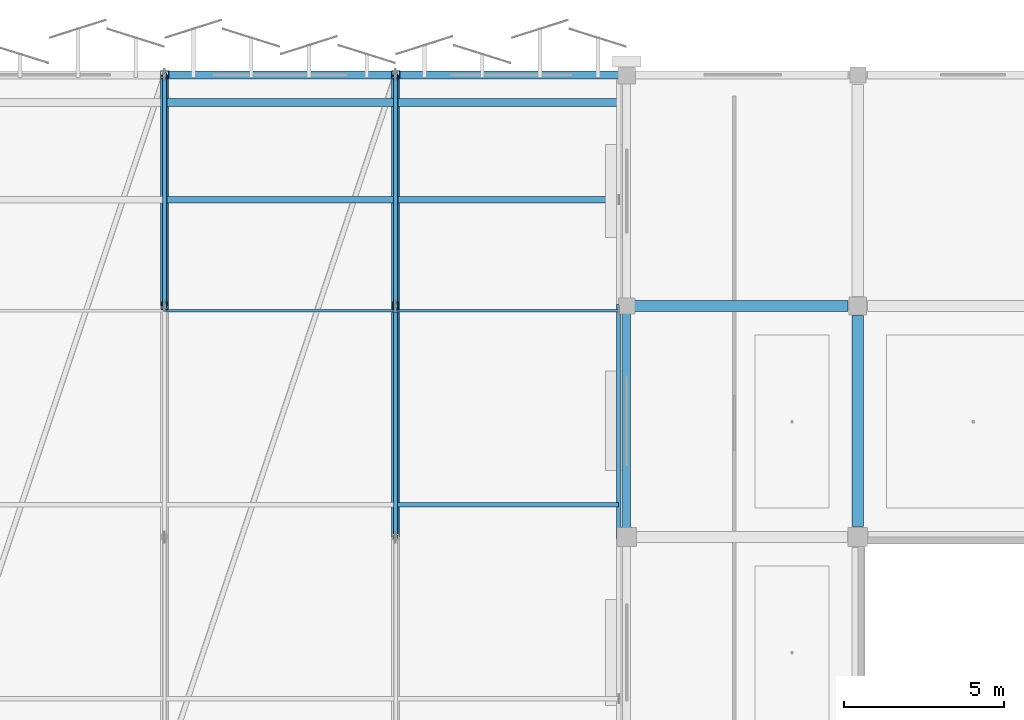
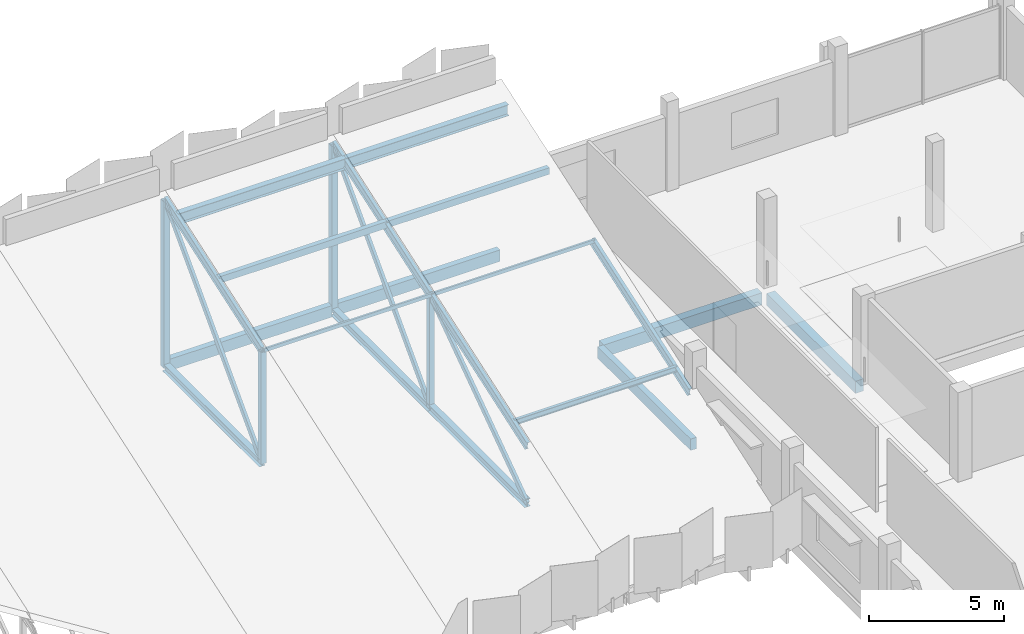
# One storey, part 24 of 59: 21 members, 5 beams.
"""IFC4 building model written with IfcOpenShell, lengths in metres."""

from ifc_helpers import new_model, si_unit, direction, frame, origin, origin_2d, place, context, subcontext, project, spatial, rectangle, hollow_rectangle, i_section, extrude, material, material_profile, profile_set, type_object, element, save


model = new_model("IFC4")

# Units and contexts
model_context = context("Model", 3, precision=1e-05, world=origin(), true_north=direction((0.0, 1.0)))
body_context = subcontext(model_context, "Body", "Model", "MODEL_VIEW")
ifc_project = project(units=[si_unit("LENGTHUNIT", "METRE"), si_unit("AREAUNIT", "SQUARE_METRE"), si_unit("VOLUMEUNIT", "CUBIC_METRE"), si_unit("PLANEANGLEUNIT", "RADIAN"), si_unit("MASSUNIT", "GRAM", prefix="KILO")], contexts=[model_context])

# Site, building, storey
site_placement = place(None, origin())
site = spatial("IfcSite", under=ifc_project, at=site_placement, CompositionType="ELEMENT")
building_placement = place(site_placement, origin())
building = spatial("IfcBuilding", under=site, at=building_placement, Name="Kangsadwip Square Police Headquarters", CompositionType="ELEMENT")
storey_placement = place(building_placement, frame((0.0, 0.0, 21.60009765625)))
storey = spatial("IfcBuildingStorey", under=building, at=storey_placement, Name="L05", CompositionType="ELEMENT", Elevation=21.60009765625)

# Beams
ifc_material_1 = material(Name="Concrete M35 (35 MPa)", Category="concrete")
ifc_material_profile_1 = material_profile(ifc_material_1, rectangle(XDim=0.35009765625, YDim=0.550048828125, at=origin_2d()), Name="RC BM 550X350")
ifc_profile_set_1 = profile_set([ifc_material_profile_1], Name="Concrete M35 (35 MPa)")
beam_type_1 = type_object("IfcBeamType", Name="RcBeam550x350", PredefinedType="BEAM", material=ifc_profile_set_1)
beam_1_placement = place(storey_placement, frame((144.125, 108.0, -0.4951171875), z_axis=(1.0, 0.0, 0.0), x_axis=(0.0, 1.0, 0.0)))
element("IfcBeam", 1, at=beam_1_placement, inside=storey, type_object=beam_type_1, Name="Beam BM-L05-X-20-15", PredefinedType="BEAM", context=body_context, shape_type="SweptSolid", body=[
    extrude(rectangle(XDim=0.35009765625, YDim=0.550048828125, at=origin_2d()), origin(), (0.0, 0.0, 1.0), 6.77490234375),
])
beam_2_placement = place(storey_placement, frame((151.199951171875, 101.125, -0.4951171875), z_axis=(0.0, 1.0, 0.0), x_axis=(-1.0, 0.0, 0.0)))
element("IfcBeam", 2, at=beam_2_placement, inside=storey, type_object=beam_type_1, Name="Beam BM-L05-Y-21-14", PredefinedType="BEAM", context=body_context, shape_type="SweptSolid", body=[
    extrude(rectangle(XDim=0.35009765625, YDim=0.550048828125, at=origin_2d()), origin(), (0.0, 0.0, 1.0), 6.574951171875),
])
ifc_material_2 = material(Name="Concrete M35 (35 MPa)", Category="concrete")
ifc_material_profile_2 = material_profile(ifc_material_2, rectangle(XDim=0.25, YDim=0.52001953125, at=origin_2d()), Name="RC SPN 520X250")
ifc_profile_set_2 = profile_set([ifc_material_profile_2], Name="Concrete M35 (35 MPa)")
beam_type_2 = type_object("IfcBeamType", Name="RcSpandrel520x250", PredefinedType="SPANDREL", material=ifc_profile_set_2)
for number, where, z_axis, x_axis, name in (
    (3, (129.72509765625, 115.199951171875, -0.47998046875), (1.0, 0.0, 0.0), (0.0, 1.0, 0.0), "Beam BM-L05-X-18-16"),
    (4, (136.925048828125, 115.199951171875, -0.47998046875), (1.0, 0.0, 0.0), (0.0, 1.0, 0.0), "Beam BM-L05-X-19-16"),
):
    element("IfcBeam", number, at=place(storey_placement, frame(where, z_axis=z_axis, x_axis=x_axis)), inside=storey, type_object=beam_type_2, Name=name, PredefinedType="SPANDREL", context=body_context, shape_type="SweptSolid", body=[
        extrude(rectangle(XDim=0.25, YDim=0.52001953125, at=origin_2d()), origin(), (0.0, 0.0, 1.0), 6.949951171875),
    ])
beam_3_placement = place(storey_placement, frame((144.0, 100.949951171875, -0.47998046875), z_axis=(0.0, 1.0, 0.0), x_axis=(-1.0, 0.0, 0.0)))
element("IfcBeam", 5, at=beam_3_placement, inside=storey, type_object=beam_type_2, Name="Beam BM-L05-Y-20-14", PredefinedType="SPANDREL", context=body_context, shape_type="SweptSolid", body=[
    extrude(rectangle(XDim=0.25, YDim=0.52001953125, at=origin_2d()), origin(), (0.0, 0.0, 1.0), 6.900146484375),
])

# Members
ifc_material_3 = material(Name="Structural steel IS 2062 E350 (Grade 350, 350 MPa)", Category="steel")
ifc_material_profile_3 = material_profile(ifc_material_3, i_section(OverallWidth=0.125, OverallDepth=0.25, WebThickness=0.0068359375, FlangeThickness=0.012451171875, at=origin_2d()), Name="ISMB 250")
ifc_profile_set_3 = profile_set([ifc_material_profile_3], Name="Structural steel IS 2062 E350 (Grade 350, 350 MPa)")
member_type_1 = type_object("IfcMemberType", Name="RoofPurlinIsmb250", PredefinedType="PURLIN", material=ifc_profile_set_3)
member_1_placement = place(storey_placement, frame((136.800048828125, 101.80810546875, 2.5068359375), z_axis=(1.0, 0.0, 0.0), x_axis=(0.0, 1.0, 0.0)))
element("IfcMember", 6, at=member_1_placement, inside=storey, type_object=member_type_1, Name="Truss Member MEM-L05-0233", PredefinedType="PURLIN", context=body_context, shape_type="SweptSolid", body=[
    extrude(i_section(OverallWidth=0.125, OverallDepth=0.25, WebThickness=0.0068359375, FlangeThickness=0.012451171875, at=origin_2d()), origin(), (0.0, 0.0, 1.0), 6.949951171875),
])
ifc_material_4 = material(Name="Structural steel IS 2062 E350 (Grade 350, 350 MPa)", Category="steel")
ifc_material_profile_4 = material_profile(ifc_material_4, hollow_rectangle(XDim=0.080078125, YDim=0.159912109375, WallThickness=0.006103515625, at=origin_2d()), Name="RHS 160X80X6")
ifc_profile_set_4 = profile_set([ifc_material_profile_4], Name="Structural steel IS 2062 E350 (Grade 350, 350 MPa)")
member_type_2 = type_object("IfcMemberType", Name="RoofPurlinRhs160", PredefinedType="PURLIN", material=ifc_profile_set_4)
member_2_placement = place(storey_placement, frame((129.60009765625, 107.85595703125, 4.6240234375), z_axis=(1.0, 0.0, 0.0), x_axis=(0.0, 1.0, 0.0)))
element("IfcMember", 7, at=member_2_placement, inside=storey, type_object=member_type_2, Name="Truss Member MEM-L05-0228", PredefinedType="PURLIN", context=body_context, shape_type="SweptSolid", body=[
    extrude(hollow_rectangle(XDim=0.080078125, YDim=0.159912109375, WallThickness=0.006103515625, at=origin_2d()), origin(), (0.0, 0.0, 1.0), 7.199951171875),
])
member_3_placement = place(storey_placement, frame((136.800048828125, 107.85595703125, 4.6240234375), z_axis=(1.0, 0.0, 0.0), x_axis=(0.0, 1.0, 0.0)))
element("IfcMember", 8, at=member_3_placement, inside=storey, type_object=member_type_2, Name="Truss Member MEM-L05-0234", PredefinedType="PURLIN", context=body_context, shape_type="SweptSolid", body=[
    extrude(hollow_rectangle(XDim=0.080078125, YDim=0.159912109375, WallThickness=0.006103515625, at=origin_2d()), origin(), (0.0, 0.0, 1.0), 6.949951171875),
])
ifc_material_5 = material(Name="Structural steel IS 2062 E350 (Grade 350, 350 MPa)", Category="steel")
ifc_material_profile_5 = material_profile(ifc_material_5, hollow_rectangle(XDim=0.199951171875, YDim=0.300048828125, WallThickness=0.011962890625, at=origin_2d()), Name="RHS 300X200X12")
ifc_profile_set_5 = profile_set([ifc_material_profile_5], Name="Structural steel IS 2062 E350 (Grade 350, 350 MPa)")
member_type_3 = type_object("IfcMemberType", Name="RoofPurlinRhs300", PredefinedType="PURLIN", material=ifc_profile_set_5)
member_4_placement = place(storey_placement, frame((129.60009765625, 111.31201171875, 5.73779296875), z_axis=(1.0, 0.0, 0.0), x_axis=(0.0, 1.0, 0.0)))
element("IfcMember", 9, at=member_4_placement, inside=storey, type_object=member_type_3, Name="Truss Member MEM-L05-0229", PredefinedType="PURLIN", context=body_context, shape_type="SweptSolid", body=[
    extrude(hollow_rectangle(XDim=0.199951171875, YDim=0.300048828125, WallThickness=0.011962890625, at=origin_2d()), origin(), (0.0, 0.0, 1.0), 7.199951171875),
])
member_5_placement = place(storey_placement, frame((136.800048828125, 111.31201171875, 5.73779296875), z_axis=(1.0, 0.0, 0.0), x_axis=(0.0, 1.0, 0.0)))
element("IfcMember", 10, at=member_5_placement, inside=storey, type_object=member_type_3, Name="Truss Member MEM-L05-0235", PredefinedType="PURLIN", context=body_context, shape_type="SweptSolid", body=[
    extrude(hollow_rectangle(XDim=0.199951171875, YDim=0.300048828125, WallThickness=0.011962890625, at=origin_2d()), origin(), (0.0, 0.0, 1.0), 6.949951171875),
])
ifc_material_6 = material(Name="Structural steel IS 2062 E350 (Grade 350, 350 MPa)", Category="steel")
ifc_material_profile_6 = material_profile(ifc_material_6, i_section(OverallWidth=0.139892578125, OverallDepth=0.39990234375, WebThickness=0.0087890625, FlangeThickness=0.01611328125, at=origin_2d()), Name="ISMB 400")
ifc_profile_set_6 = profile_set([ifc_material_profile_6], Name="Structural steel IS 2062 E350 (Grade 350, 350 MPa)")
member_type_4 = type_object("IfcMemberType", Name="SawtoothRafterIsmb400", PredefinedType="RAFTER", material=ifc_profile_set_6)
for number, where, z_axis, x_axis, name in (
    (11, (129.60009765625, 108.0, 4.51318359375), (0.0, 0.946016781172, 0.324117647993), (-1.0, 0.0, 0.0), "Truss Member MEM-L05-0175"),
    (12, (136.800048828125, 100.800048828125, 2.046630859375), (0.0, 0.946026616665, 0.324088939275), (-1.0, 0.0, 0.0), "Truss Member MEM-L05-0186"),
    (13, (136.800048828125, 108.0, 4.51318359375), (0.0, 0.946016781172, 0.324117647993), (-1.0, 0.0, 0.0), "Truss Member MEM-L05-0187"),
    (14, (143.75, 100.800048828125, 2.046630859375), (0.0, 0.946026616665, 0.324088939275), (-1.0, 0.0, 0.0), "Truss Member MEM-L05-0195"),
):
    element("IfcMember", number, at=place(storey_placement, frame(where, z_axis=z_axis, x_axis=x_axis)), inside=storey, type_object=member_type_4, Name=name, PredefinedType="RAFTER", context=body_context, shape_type="SweptSolid", body=[
        extrude(i_section(OverallWidth=0.139892578125, OverallDepth=0.39990234375, WebThickness=0.0087890625, FlangeThickness=0.01611328125, at=origin_2d()), origin(), (0.0, 0.0, 1.0), 7.61083984375),
    ])
ifc_material_7 = material(Name="Structural steel IS 2062 E350 (Grade 350, 350 MPa)", Category="steel")
ifc_material_profile_7 = material_profile(ifc_material_7, i_section(OverallWidth=0.25, OverallDepth=0.35009765625, WebThickness=0.010009765625, FlangeThickness=0.01171875, at=origin_2d()), Name="ISHB 350")
ifc_profile_set_7 = profile_set([ifc_material_profile_7], Name="Structural steel IS 2062 E350 (Grade 350, 350 MPa)")
member_type_5 = type_object("IfcMemberType", Name="TrussBotChordIshb350", PredefinedType="CHORD", material=ifc_profile_set_7)
for number, where, z_axis, x_axis, name in (
    (15, (129.60009765625, 108.0, -0.550048828125), (0.0, 1.0, 0.0), (-1.0, 0.0, 0.0), "Truss Member MEM-L05-0172"),
    (16, (136.800048828125, 100.800048828125, -0.550048828125), (0.0, 1.0, 0.0), (-1.0, 0.0, 0.0), "Truss Member MEM-L05-0183"),
    (17, (136.800048828125, 108.0, -0.550048828125), (0.0, 1.0, 0.0), (-1.0, 0.0, 0.0), "Truss Member MEM-L05-0184"),
):
    element("IfcMember", number, at=place(storey_placement, frame(where, z_axis=z_axis, x_axis=x_axis)), inside=storey, type_object=member_type_5, Name=name, PredefinedType="CHORD", context=body_context, shape_type="SweptSolid", body=[
        extrude(i_section(OverallWidth=0.25, OverallDepth=0.35009765625, WebThickness=0.010009765625, FlangeThickness=0.01171875, at=origin_2d()), origin(), (0.0, 0.0, 1.0), 7.199951171875),
    ])
ifc_material_8 = material(Name="Structural steel IS 2062 E350 (Grade 350, 350 MPa)", Category="steel")
ifc_material_profile_8 = material_profile(ifc_material_8, hollow_rectangle(XDim=0.1201171875, YDim=0.239990234375, WallThickness=0.008056640625, at=origin_2d()), Name="RHS 240X120X8")
ifc_profile_set_8 = profile_set([ifc_material_profile_8], Name="Structural steel IS 2062 E350 (Grade 350, 350 MPa)")
member_type_6 = type_object("IfcMemberType", Name="TrussBraceRhs240", PredefinedType="BRACE", material=ifc_profile_set_8)
member_6_placement = place(storey_placement, frame((129.60009765625, 108.0, -0.550048828125), z_axis=(0.0, 0.691088022284, 0.722770603619), x_axis=(-1.0, 0.0, 0.0)))
element("IfcMember", 18, at=member_6_placement, inside=storey, type_object=member_type_6, Name="Truss Member MEM-L05-0181", PredefinedType="BRACE", context=body_context, shape_type="SweptSolid", body=[
    extrude(hollow_rectangle(XDim=0.1201171875, YDim=0.239990234375, WallThickness=0.008056640625, at=origin_2d()), origin(), (0.0, 0.0, 1.0), 10.418212890625),
])
member_7_placement = place(storey_placement, frame((136.800048828125, 100.800048828125, -0.550048828125), z_axis=(0.0, 0.817988169537, 0.575235042828), x_axis=(-1.0, 0.0, 0.0)))
element("IfcMember", 19, at=member_7_placement, inside=storey, type_object=member_type_6, Name="Truss Member MEM-L05-0192", PredefinedType="BRACE", context=body_context, shape_type="SweptSolid", body=[
    extrude(hollow_rectangle(XDim=0.1201171875, YDim=0.239990234375, WallThickness=0.008056640625, at=origin_2d()), origin(), (0.0, 0.0, 1.0), 8.802001953125),
])
member_8_placement = place(storey_placement, frame((136.800048828125, 108.0, -0.550048828125), z_axis=(0.0, 0.691088022284, 0.722770603619), x_axis=(-1.0, 0.0, 0.0)))
element("IfcMember", 20, at=member_8_placement, inside=storey, type_object=member_type_6, Name="Truss Member MEM-L05-0193", PredefinedType="BRACE", context=body_context, shape_type="SweptSolid", body=[
    extrude(hollow_rectangle(XDim=0.1201171875, YDim=0.239990234375, WallThickness=0.008056640625, at=origin_2d()), origin(), (0.0, 0.0, 1.0), 10.418212890625),
])
ifc_material_9 = material(Name="Structural steel IS 2062 E350 (Grade 350, 350 MPa)", Category="steel")
ifc_material_profile_9 = material_profile(ifc_material_9, hollow_rectangle(XDim=0.219970703125, YDim=0.219970703125, WallThickness=0.010009765625, at=origin_2d()), Name="SHS 220X220X10")
ifc_profile_set_9 = profile_set([ifc_material_profile_9], Name="Structural steel IS 2062 E350 (Grade 350, 350 MPa)")
member_type_7 = type_object("IfcMemberType", Name="TrussPostShs220", PredefinedType="POST", material=ifc_profile_set_9)
for number, where, z_axis, x_axis, name in (
    (21, (129.60009765625, 108.0, -0.550048828125), (0.0, 0.0, 1.0), (1.0, 0.0, 0.0), "Truss Member MEM-L05-0177"),
    (22, (136.800048828125, 108.0, -0.550048828125), (0.0, 0.0, 1.0), (1.0, 0.0, 0.0), "Truss Member MEM-L05-0189"),
):
    element("IfcMember", number, at=place(storey_placement, frame(where, z_axis=z_axis, x_axis=x_axis)), inside=storey, type_object=member_type_7, Name=name, PredefinedType="POST", context=body_context, shape_type="SweptSolid", body=[
        extrude(hollow_rectangle(XDim=0.219970703125, YDim=0.219970703125, WallThickness=0.010009765625, at=origin_2d()), origin(), (0.0, 0.0, 1.0), 5.063232421875),
    ])
ifc_material_10 = material(Name="Structural steel IS 2062 E350 (Grade 350, 350 MPa)", Category="steel")
ifc_material_profile_10 = material_profile(ifc_material_10, hollow_rectangle(XDim=0.25, YDim=0.25, WallThickness=0.011962890625, at=origin_2d()), Name="SHS 250X250X12")
ifc_profile_set_10 = profile_set([ifc_material_profile_10], Name="Structural steel IS 2062 E350 (Grade 350, 350 MPa)")
member_type_8 = type_object("IfcMemberType", Name="TrussPostShs250", PredefinedType="POST", material=ifc_profile_set_10)
for number, where, z_axis, x_axis, name in (
    (23, (129.60009765625, 115.199951171875, -0.550048828125), (0.0, 0.0, 1.0), (1.0, 0.0, 0.0), "Truss Member MEM-L05-0178"),
    (24, (136.800048828125, 115.199951171875, -0.550048828125), (0.0, 0.0, 1.0), (1.0, 0.0, 0.0), "Truss Member MEM-L05-0190"),
):
    element("IfcMember", number, at=place(storey_placement, frame(where, z_axis=z_axis, x_axis=x_axis)), inside=storey, type_object=member_type_8, Name=name, PredefinedType="POST", context=body_context, shape_type="SweptSolid", body=[
        extrude(hollow_rectangle(XDim=0.25, YDim=0.25, WallThickness=0.011962890625, at=origin_2d()), origin(), (0.0, 0.0, 1.0), 7.530029296875),
    ])
ifc_material_11 = material(Name="Structural steel IS 2062 E350 (Grade 350, 350 MPa)", Category="steel")
ifc_material_profile_11 = material_profile(ifc_material_11, i_section(OverallWidth=0.25, OverallDepth=0.5, WebThickness=0.010009765625, FlangeThickness=0.0146484375, at=origin_2d()), Name="ISWB 500")
ifc_profile_set_11 = profile_set([ifc_material_profile_11], Name="Structural steel IS 2062 E350 (Grade 350, 350 MPa)")
member_type_9 = type_object("IfcMemberType", Name="TrussTopChordIswb500", PredefinedType="CHORD", material=ifc_profile_set_11)
member_9_placement = place(storey_placement, frame((129.60009765625, 114.3359375, 6.673828125), z_axis=(1.0, 0.0, 0.0), x_axis=(0.0, 1.0, 0.0)))
element("IfcMember", 25, at=member_9_placement, inside=storey, type_object=member_type_9, Name="Truss Member MEM-L05-0230", PredefinedType="CHORD", context=body_context, shape_type="SweptSolid", body=[
    extrude(i_section(OverallWidth=0.25, OverallDepth=0.5, WebThickness=0.010009765625, FlangeThickness=0.0146484375, at=origin_2d()), origin(), (0.0, 0.0, 1.0), 7.199951171875),
])
member_10_placement = place(storey_placement, frame((136.800048828125, 114.3359375, 6.673828125), z_axis=(1.0, 0.0, 0.0), x_axis=(0.0, 1.0, 0.0)))
element("IfcMember", 26, at=member_10_placement, inside=storey, type_object=member_type_9, Name="Truss Member MEM-L05-0236", PredefinedType="CHORD", context=body_context, shape_type="SweptSolid", body=[
    extrude(i_section(OverallWidth=0.25, OverallDepth=0.5, WebThickness=0.010009765625, FlangeThickness=0.0146484375, at=origin_2d()), origin(), (0.0, 0.0, 1.0), 6.949951171875),
])

save(model, "model.ifc")
